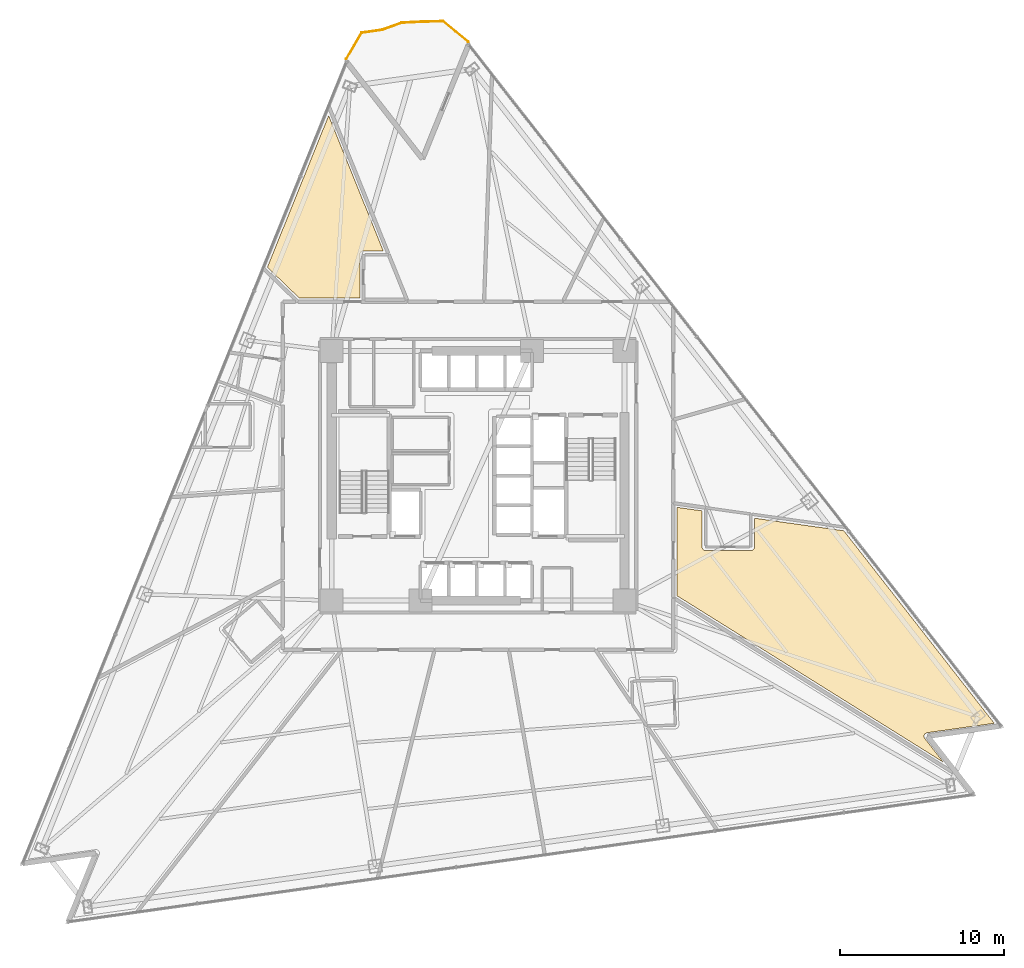
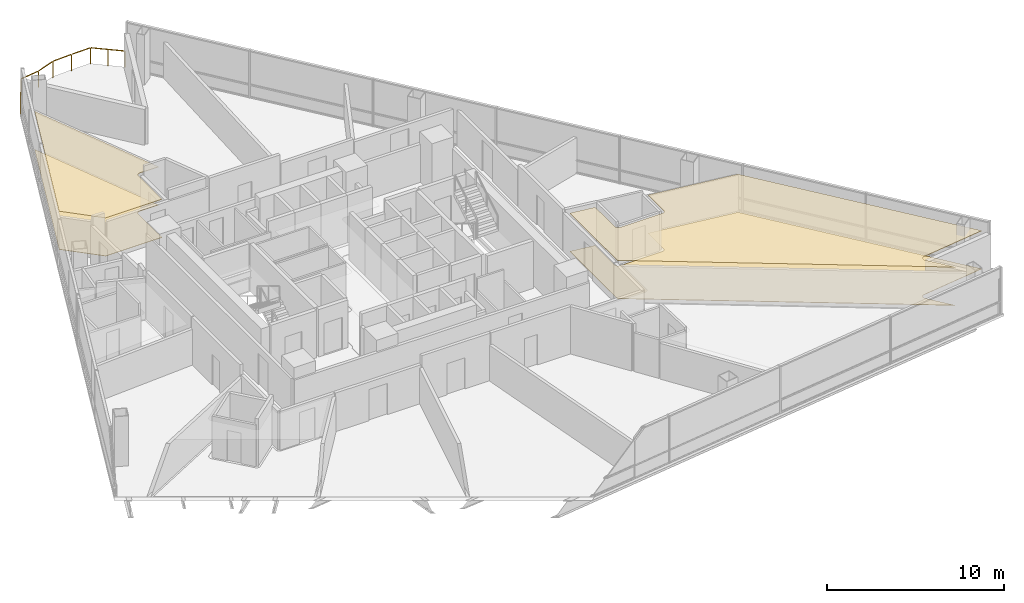
# One storey, part 15 of 15: 4 coverings, 1 railing.
"""IFC4 building model written with IfcOpenShell, lengths in metres."""

from ifc_helpers import new_model, si_unit, direction, frame, origin, origin_2d, place, context, subcontext, project, spatial, polyline, rectangle, outline, extrude, material, layer, layer_set, type_object, element, save


model = new_model("IFC4")

# Units and contexts
model_context = context("Model", 3, precision=1e-05, world=origin(), true_north=direction((0.0, 1.0)))
body_context = subcontext(model_context, "Body", "Model", "MODEL_VIEW")
ifc_project = project(units=[si_unit("LENGTHUNIT", "METRE"), si_unit("AREAUNIT", "SQUARE_METRE"), si_unit("VOLUMEUNIT", "CUBIC_METRE"), si_unit("PLANEANGLEUNIT", "RADIAN"), si_unit("MASSUNIT", "GRAM", prefix="KILO")], contexts=[model_context])

# Site, building, storey
site_placement = place(None, origin())
site = spatial("IfcSite", under=ifc_project, at=site_placement, CompositionType="ELEMENT")
building_placement = place(site_placement, origin())
building = spatial("IfcBuilding", under=site, at=building_placement, Name="Tharavind Bronze Gate", CompositionType="ELEMENT")
storey_placement = place(building_placement, frame((0.0, 0.0, 67.300048828125)))
storey = spatial("IfcBuildingStorey", under=building, at=storey_placement, Name="L16", CompositionType="ELEMENT", Elevation=67.300048828125)

# Coverings
ifc_material_1 = material(Name="Engineered Oak & Carpet Tile", Category="wood")
ifc_layer_1 = layer(ifc_material_1, 0.02490234375)
ifc_layer_set_1 = layer_set([ifc_layer_1], Name="Engineered Oak & Carpet Tile")
covering_type_1 = type_object("IfcCoveringType", Name="ENGINEERED TIMBER FLOORING", PredefinedType="FLOORING", material=ifc_layer_set_1)
covering_1_placement = place(storey_placement, origin())
element("IfcCovering", 1, at=covering_1_placement, inside=storey, type_object=covering_type_1, Name="L16-RM-05 floor finish", PredefinedType="FLOORING", context=body_context, shape_type="SweptSolid", body=[
    extrude(outline(polyline([(-10.866943359375, 10.800048828125), (-7.193115234375, 10.800048828125), (-7.193115234375, 13.449951171875), (-7.19189453125, 13.4716796875), (-7.18896484375, 13.492919921875), (-7.18359375, 13.513916015625), (-7.17626953125, 13.5341796875), (-7.1669921875, 13.5537109375), (-7.156005859375, 13.572265625), (-7.14306640625, 13.589599609375), (-7.128662109375, 13.605712890625), (-7.112548828125, 13.6201171875), (-7.09521484375, 13.6328125), (-7.076904296875, 13.64404296875), (-7.057373046875, 13.6533203125), (-7.036865234375, 13.660400390625), (-7.01611328125, 13.665771484375), (-6.99462890625, 13.6689453125), (-6.97314453125, 13.669921875), (-5.76025390625, 13.669921875), (-9.087646484375, 21.905517578125), (-12.814697265625, 12.680908203125), (-10.866943359375, 10.800048828125)])), origin(), (0.0, 0.0, 1.0), 0.02490234375),
])
covering_2_placement = place(storey_placement, origin())
element("IfcCovering", 2, at=covering_2_placement, inside=storey, type_object=covering_type_1, Name="L16-RM-14 floor finish", PredefinedType="FLOORING", context=body_context, shape_type="SweptSolid", body=[
    extrude(outline(polyline([(12.10009765625, -7.301513671875), (28.311279296875, -17.431396484375), (27.184326171875, -15.989013671875), (27.177734375, -15.980224609375), (27.177490234375, -15.979736328125), (27.165771484375, -15.961181640625), (27.156005859375, -15.941650390625), (27.148193359375, -15.921142578125), (27.142333984375, -15.89990234375), (27.138916015625, -15.87841796875), (27.137451171875, -15.8564453125), (27.13818359375, -15.83447265625), (27.14111328125, -15.812744140625), (27.146240234375, -15.79150390625), (27.1533203125, -15.770751953125), (27.16259765625, -15.750732421875), (27.173583984375, -15.73193359375), (27.186767578125, -15.714111328125), (27.201416015625, -15.697998046875), (27.217529296875, -15.68310546875), (27.235107421875, -15.670166015625), (27.254150390625, -15.658935546875), (27.27392578125, -15.649658203125), (27.294677734375, -15.642333984375), (27.31591796875, -15.63720703125), (27.31640625, -15.636962890625), (27.327392578125, -15.63525390625), (31.405517578125, -15.06201171875), (22.255126953125, -3.349853515625), (16.820068359375, -2.586181640625), (16.820068359375, -4.33642578125), (16.81884765625, -4.358154296875), (16.81591796875, -4.37939453125), (16.810546875, -4.400390625), (16.80322265625, -4.420654296875), (16.7939453125, -4.440185546875), (16.782958984375, -4.458740234375), (16.77001953125, -4.47607421875), (16.755615234375, -4.4921875), (16.739501953125, -4.506591796875), (16.72216796875, -4.519287109375), (16.70361328125, -4.530517578125), (16.68408203125, -4.539794921875), (16.663818359375, -4.547119140625), (16.642822265625, -4.55224609375), (16.62158203125, -4.555419921875), (16.60009765625, -4.556396484375), (13.85009765625, -4.556396484375), (13.828369140625, -4.555419921875), (13.80712890625, -4.55224609375), (13.7861328125, -4.547119140625), (13.765869140625, -4.539794921875), (13.746337890625, -4.530517578125), (13.727783203125, -4.519287109375), (13.71044921875, -4.506591796875), (13.6943359375, -4.4921875), (13.679931640625, -4.47607421875), (13.6669921875, -4.458740234375), (13.656005859375, -4.440185546875), (13.646728515625, -4.420654296875), (13.639404296875, -4.400390625), (13.63427734375, -4.37939453125), (13.631103515625, -4.358154296875), (13.6298828125, -4.33642578125), (13.6298828125, -2.1376953125), (12.10009765625, -1.922607421875), (12.10009765625, -7.301513671875)])), origin(), (0.0, 0.0, 1.0), 0.02490234375),
])
ifc_material_2 = material(Name="Acoustic Gypsum Board", Category="gypsum")
ifc_layer_2 = layer(ifc_material_2, 0.030029296875)
ifc_layer_set_2 = layer_set([ifc_layer_2], Name="Acoustic Gypsum Board")
covering_type_2 = type_object("IfcCoveringType", Name="GYPSUM SUSPENDED CEILING", PredefinedType="CEILING", material=ifc_layer_set_2)
covering_3_placement = place(storey_placement, frame((0.0, 0.0, 2.625)))
element("IfcCovering", 3, at=covering_3_placement, inside=storey, type_object=covering_type_2, Name="L16-RM-05 suspended ceiling", PredefinedType="CEILING", context=body_context, shape_type="SweptSolid", body=[
    extrude(outline(polyline([(-10.866943359375, 10.800048828125), (-7.193115234375, 10.800048828125), (-7.193115234375, 13.449951171875), (-7.19189453125, 13.4716796875), (-7.18896484375, 13.492919921875), (-7.18359375, 13.513916015625), (-7.17626953125, 13.5341796875), (-7.1669921875, 13.5537109375), (-7.156005859375, 13.572265625), (-7.14306640625, 13.589599609375), (-7.128662109375, 13.605712890625), (-7.112548828125, 13.6201171875), (-7.09521484375, 13.6328125), (-7.076904296875, 13.64404296875), (-7.057373046875, 13.6533203125), (-7.036865234375, 13.660400390625), (-7.01611328125, 13.665771484375), (-6.99462890625, 13.6689453125), (-6.97314453125, 13.669921875), (-5.76025390625, 13.669921875), (-9.087646484375, 21.905517578125), (-12.814697265625, 12.680908203125), (-10.866943359375, 10.800048828125)])), origin(), (0.0, 0.0, 1.0), 0.034912109375),
])
covering_4_placement = place(storey_placement, frame((0.0, 0.0, 2.625)))
element("IfcCovering", 4, at=covering_4_placement, inside=storey, type_object=covering_type_2, Name="L16-RM-14 suspended ceiling", PredefinedType="CEILING", context=body_context, shape_type="SweptSolid", body=[
    extrude(outline(polyline([(12.10009765625, -7.301513671875), (28.311279296875, -17.431396484375), (27.184326171875, -15.989013671875), (27.177734375, -15.980224609375), (27.177490234375, -15.979736328125), (27.165771484375, -15.961181640625), (27.156005859375, -15.941650390625), (27.148193359375, -15.921142578125), (27.142333984375, -15.89990234375), (27.138916015625, -15.87841796875), (27.137451171875, -15.8564453125), (27.13818359375, -15.83447265625), (27.14111328125, -15.812744140625), (27.146240234375, -15.79150390625), (27.1533203125, -15.770751953125), (27.16259765625, -15.750732421875), (27.173583984375, -15.73193359375), (27.186767578125, -15.714111328125), (27.201416015625, -15.697998046875), (27.217529296875, -15.68310546875), (27.235107421875, -15.670166015625), (27.254150390625, -15.658935546875), (27.27392578125, -15.649658203125), (27.294677734375, -15.642333984375), (27.31591796875, -15.63720703125), (27.31640625, -15.636962890625), (27.327392578125, -15.63525390625), (31.405517578125, -15.06201171875), (22.255126953125, -3.349853515625), (16.820068359375, -2.586181640625), (16.820068359375, -4.33642578125), (16.81884765625, -4.358154296875), (16.81591796875, -4.37939453125), (16.810546875, -4.400390625), (16.80322265625, -4.420654296875), (16.7939453125, -4.440185546875), (16.782958984375, -4.458740234375), (16.77001953125, -4.47607421875), (16.755615234375, -4.4921875), (16.739501953125, -4.506591796875), (16.72216796875, -4.519287109375), (16.70361328125, -4.530517578125), (16.68408203125, -4.539794921875), (16.663818359375, -4.547119140625), (16.642822265625, -4.55224609375), (16.62158203125, -4.555419921875), (16.60009765625, -4.556396484375), (13.85009765625, -4.556396484375), (13.828369140625, -4.555419921875), (13.80712890625, -4.55224609375), (13.7861328125, -4.547119140625), (13.765869140625, -4.539794921875), (13.746337890625, -4.530517578125), (13.727783203125, -4.519287109375), (13.71044921875, -4.506591796875), (13.6943359375, -4.4921875), (13.679931640625, -4.47607421875), (13.6669921875, -4.458740234375), (13.656005859375, -4.440185546875), (13.646728515625, -4.420654296875), (13.639404296875, -4.400390625), (13.63427734375, -4.37939453125), (13.631103515625, -4.358154296875), (13.6298828125, -4.33642578125), (13.6298828125, -2.1376953125), (12.10009765625, -1.922607421875), (12.10009765625, -7.301513671875)])), origin(), (0.0, 0.0, 1.0), 0.034912109375),
])

# Railing
ifc_material_3 = material(Name="Bronze Cap & Laminated Glass", Category="glass")
railing_type = type_object("IfcRailingType", Name="TERRACE GLASS GUARD RAILING 1150", PredefinedType="GUARDRAIL", material=ifc_material_3)
railing_placement = place(storey_placement, frame((-8.02294921875, 25.341552734375, 0.0)))
element("IfcRailing", 5, at=railing_placement, inside=storey, type_object=railing_type, Name="L16 tree balcony guard railing", PredefinedType="GUARDRAIL", context=body_context, shape_type="SweptSolid", body=[
    extrude(rectangle(XDim=0.048095703125, YDim=0.048095703125, at=origin_2d()), frame((0.01611328125, 0.027587890625, 1.1259765625), z_axis=(0.5072203259, 0.861816419543, 0.0), x_axis=(-0.861816419543, 0.5072203259, 0.0)), (0.0, 0.0, 1.0), 1.80126953125),
    extrude(rectangle(XDim=0.048095703125, YDim=0.048095703125, at=origin_2d()), frame((0.977783203125, 1.61181640625, 1.1259765625), z_axis=(0.99028265427, 0.139069280047, 0.0), x_axis=(-0.139069280047, 0.99028265427, 0.0)), (0.0, 0.0, 1.0), 1.18603515625),
    extrude(rectangle(XDim=0.048095703125, YDim=0.048095703125, at=origin_2d()), frame((2.2138671875, 1.7919921875, 1.1259765625), z_axis=(0.941126052549, 0.338055843337, 0.0), x_axis=(-0.338055843337, 0.941126052549, 0.0)), (0.0, 0.0, 1.0), 1.212890625),
    extrude(rectangle(XDim=0.048095703125, YDim=0.048095703125, at=origin_2d()), frame((3.41748046875, 2.214599609375, 1.1259765625), z_axis=(0.998749426413, 0.049995832214, 0.0), x_axis=(-0.049995832214, 0.998749426413, 0.0)), (0.0, 0.0, 1.0), 1.19091796875),
    extrude(rectangle(XDim=0.048095703125, YDim=0.048095703125, at=origin_2d()), frame((4.6708984375, 2.2763671875, 1.1259765625), z_axis=(0.999759833143, 0.021915200998, 0.0), x_axis=(-0.021915200998, 0.999759833143, 0.0)), (0.0, 0.0, 1.0), 1.19482421875),
    extrude(rectangle(XDim=0.048095703125, YDim=0.048095703125, at=origin_2d()), frame((5.922119140625, 2.282958984375, 1.1259765625), z_axis=(0.772015598117, -0.635603584212, 0.0), x_axis=(0.635603584212, 0.772015598117, 0.0)), (0.0, 0.0, 1.0), 1.917236328125),
    extrude(rectangle(XDim=0.0400390625, YDim=0.0400390625, at=origin_2d()), origin(), (0.0, 0.0, 1.0), 1.097900390625),
    extrude(rectangle(XDim=0.0400390625, YDim=0.0400390625, at=origin_2d()), frame((0.47314453125, 0.8037109375, 0.0)), (0.0, 0.0, 1.0), 1.097900390625),
    extrude(rectangle(XDim=0.0400390625, YDim=0.0400390625, at=origin_2d()), frame((0.946044921875, 1.607421875, 0.0)), (0.0, 0.0, 1.0), 1.097900390625),
    extrude(rectangle(XDim=0.0400390625, YDim=0.0400390625, at=origin_2d()), frame((2.183837890625, 1.78125, 0.0)), (0.0, 0.0, 1.0), 1.097900390625),
    extrude(rectangle(XDim=0.0400390625, YDim=0.0400390625, at=origin_2d()), frame((3.385498046875, 2.212890625, 0.0)), (0.0, 0.0, 1.0), 1.097900390625),
    extrude(rectangle(XDim=0.0400390625, YDim=0.0400390625, at=origin_2d()), frame((4.638916015625, 2.275634765625, 0.0)), (0.0, 0.0, 1.0), 1.097900390625),
    extrude(rectangle(XDim=0.0400390625, YDim=0.0400390625, at=origin_2d()), frame((5.8974609375, 2.30322265625, 0.0)), (0.0, 0.0, 1.0), 1.097900390625),
    extrude(rectangle(XDim=0.0400390625, YDim=0.0400390625, at=origin_2d()), frame((6.662109375, 1.673583984375, 0.0)), (0.0, 0.0, 1.0), 1.097900390625),
    extrude(rectangle(XDim=0.0400390625, YDim=0.0400390625, at=origin_2d()), frame((7.427001953125, 1.0439453125, 0.0)), (0.0, 0.0, 1.0), 1.097900390625),
])

save(model, "model.ifc")
